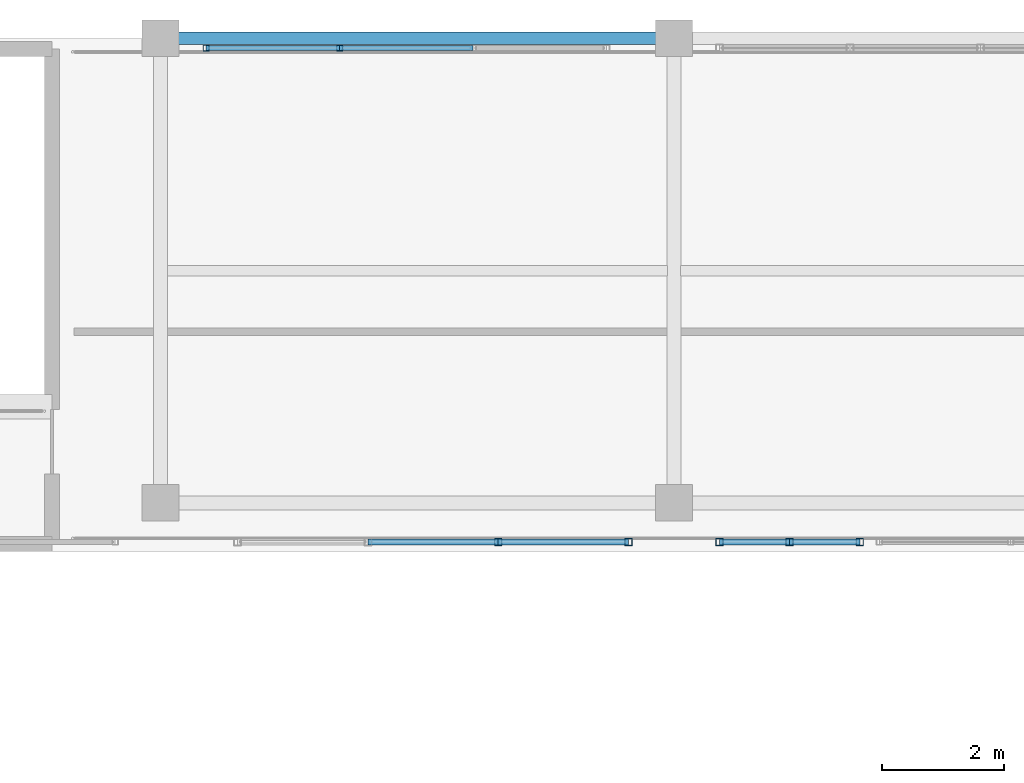
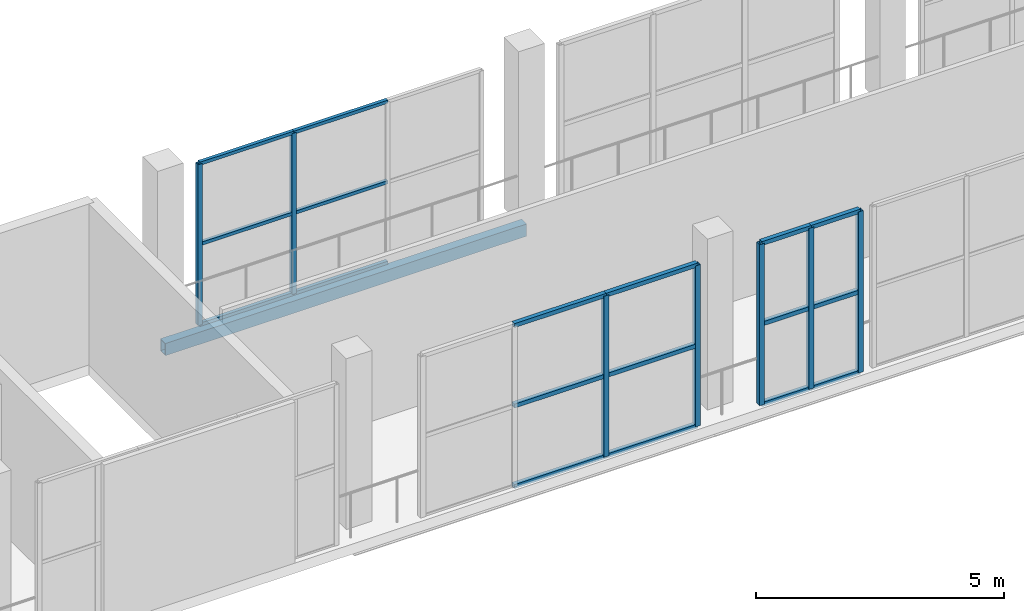
# One storey, part 75 of 151: 25 members, 1 beam, 3 elements without a shape of their own.
"""IFC4 building model written with IfcOpenShell, lengths in metres."""

from ifc_helpers import new_model, si_unit, direction, frame, origin, origin_2d, place, context, subcontext, project, spatial, hollow_rectangle, extrude, material, material_profile, profile_set, type_object, element, aggregate, save


model = new_model("IFC4")

# Units and contexts
model_context = context("Model", 3, precision=1e-05, world=origin(), true_north=direction((0.0, 1.0)))
body_context = subcontext(model_context, "Body", "Model", "MODEL_VIEW")
ifc_project = project(units=[si_unit("LENGTHUNIT", "METRE"), si_unit("AREAUNIT", "SQUARE_METRE"), si_unit("VOLUMEUNIT", "CUBIC_METRE"), si_unit("PLANEANGLEUNIT", "RADIAN"), si_unit("MASSUNIT", "GRAM", prefix="KILO")], contexts=[model_context])

# Site, building, storey
site_placement = place(None, origin())
site = spatial("IfcSite", under=ifc_project, at=site_placement, CompositionType="ELEMENT")
building_placement = place(site_placement, origin())
building = spatial("IfcBuilding", under=site, at=building_placement, Name="Zuvorla Pavilion Media Centre", CompositionType="ELEMENT")
storey_placement = place(building_placement, frame((0.0, 0.0, 13.800048828125)))
storey = spatial("IfcBuildingStorey", under=building, at=storey_placement, Name="L03", CompositionType="ELEMENT", Elevation=13.800048828125)

# Beam
ifc_material_1 = material(Name="Steel S355", Category="steel")
ifc_material_profile_1 = material_profile(ifc_material_1, hollow_rectangle(XDim=0.199951171875, YDim=0.300048828125, WallThickness=0.012451171875, at=origin_2d()), Name="RHS 300x200x12.5")
ifc_profile_set_1 = profile_set([ifc_material_profile_1], Name="Steel S355")
beam_type = type_object("IfcBeamType", Name="BM-SP-RHS300", PredefinedType="SPANDREL", material=ifc_profile_set_1)
beam_placement = place(storey_placement, frame((100.39990234375, 89.60009765625, -0.407958984375), z_axis=(1.0, 0.0, 0.0), x_axis=(0.0, 1.0, 0.0)))
element("IfcBeam", 1, at=beam_placement, inside=storey, type_object=beam_type, Name="L03 spandrel SP01 1140", PredefinedType="SPANDREL", context=body_context, shape_type="SweptSolid", body=[
    extrude(hollow_rectangle(XDim=0.199951171875, YDim=0.300048828125, WallThickness=0.012451171875, at=origin_2d()), origin(), (0.0, 0.0, 1.0), 8.400146484375),
])

# Curtain wall, members
ifc_material_2 = material(Name="Unitised anodised aluminium and solar glass curtain wall", Category="aluminium")
curtain_wall_type_1 = type_object("IfcCurtainWallType", Name="CW-SYS-63", PredefinedType="USERDEFINED", material=ifc_material_2)
curtain_wall_1_placement = place(storey_placement, origin())
curtain_wall_1 = element("IfcCurtainWall", 2, at=curtain_wall_1_placement, inside=storey, type_object=curtain_wall_type_1, Name="L03 curtain wall CW63 112", ObjectType="CURTAIN WALL", PredefinedType="USERDEFINED")
ifc_material_3 = material(Name="Anodised aluminium 6063-T6", Category="aluminium")
ifc_material_profile_2 = material_profile(ifc_material_3, hollow_rectangle(XDim=0.10009765625, YDim=0.10009765625, WallThickness=0.00439453125, at=origin_2d()), Name="ALU MULL 100x100")
ifc_profile_set_2 = profile_set([ifc_material_profile_2], Name="Anodised aluminium 6063-T6")
member_type_1 = type_object("IfcMemberType", Name="CW-MULL-100", PredefinedType="MULLION", material=ifc_profile_set_2)
member_1_placement = place(storey_placement, frame((103.32861328125, 89.43994140625, 0.0), z_axis=(0.0, 0.0, 1.0), x_axis=(1.0, 0.0, 0.0)))
member_1 = element("IfcMember", 3, at=member_1_placement, type_object=member_type_1, Name="CW63 mullion 3", PredefinedType="MULLION", context=body_context, shape_type="SweptSolid", body=[
    extrude(hollow_rectangle(XDim=0.10009765625, YDim=0.10009765625, WallThickness=0.00439453125, at=origin_2d()), origin(), (0.0, 0.0, 1.0), 3.9599609375),
])
member_2_placement = place(storey_placement, frame((101.144287109375, 89.43994140625, 0.0), z_axis=(0.0, 0.0, 1.0), x_axis=(1.0, 0.0, 0.0)))
member_2 = element("IfcMember", 4, at=member_2_placement, type_object=member_type_1, Name="CW63 mullion 4", PredefinedType="MULLION", context=body_context, shape_type="SweptSolid", body=[
    extrude(hollow_rectangle(XDim=0.10009765625, YDim=0.10009765625, WallThickness=0.00439453125, at=origin_2d()), origin(), (0.0, 0.0, 1.0), 3.9599609375),
])

curtain_wall_type_2 = type_object("IfcCurtainWallType", Name="CW-SYS-82", PredefinedType="USERDEFINED", material=ifc_material_2)
curtain_wall_2_placement = place(storey_placement, origin())
curtain_wall_2 = element("IfcCurtainWall", 5, at=curtain_wall_2_placement, inside=storey, type_object=curtain_wall_type_2, Name="L03 curtain wall CW82 172", ObjectType="CURTAIN WALL", PredefinedType="USERDEFINED")
ifc_material_profile_3 = material_profile(ifc_material_3, hollow_rectangle(XDim=0.1201171875, YDim=0.1201171875, WallThickness=0.0048828125, at=origin_2d()), Name="ALU MULL 120x120")
ifc_profile_set_3 = profile_set([ifc_material_profile_3], Name="Anodised aluminium 6063-T6")
member_type_2 = type_object("IfcMemberType", Name="CW-MULL-120", PredefinedType="MULLION", material=ifc_profile_set_3)
member_3_placement = place(storey_placement, frame((111.840087890625, 81.360107421875, 0.0), z_axis=(0.0, 0.0, 1.0), x_axis=(1.0, 0.0, 0.0)))
member_3 = element("IfcMember", 6, at=member_3_placement, type_object=member_type_2, Name="CW82 mullion 1", PredefinedType="MULLION", context=body_context, shape_type="SweptSolid", body=[
    extrude(hollow_rectangle(XDim=0.1201171875, YDim=0.1201171875, WallThickness=0.0048828125, at=origin_2d()), origin(), (0.0, 0.0, 1.0), 3.9599609375),
])
member_4_placement = place(storey_placement, frame((110.692138671875, 81.360107421875, 0.0), z_axis=(0.0, 0.0, 1.0), x_axis=(1.0, 0.0, 0.0)))
member_4 = element("IfcMember", 7, at=member_4_placement, type_object=member_type_2, Name="CW82 mullion 2", PredefinedType="MULLION", context=body_context, shape_type="SweptSolid", body=[
    extrude(hollow_rectangle(XDim=0.1201171875, YDim=0.1201171875, WallThickness=0.0048828125, at=origin_2d()), origin(), (0.0, 0.0, 1.0), 3.9599609375),
])
member_5_placement = place(storey_placement, frame((109.544189453125, 81.360107421875, 0.0), z_axis=(0.0, 0.0, 1.0), x_axis=(1.0, 0.0, 0.0)))
member_5 = element("IfcMember", 8, at=member_5_placement, type_object=member_type_2, Name="CW82 mullion 3", PredefinedType="MULLION", context=body_context, shape_type="SweptSolid", body=[
    extrude(hollow_rectangle(XDim=0.1201171875, YDim=0.1201171875, WallThickness=0.0048828125, at=origin_2d()), origin(), (0.0, 0.0, 1.0), 3.9599609375),
])

curtain_wall_type_3 = type_object("IfcCurtainWallType", Name="CW-SYS-45", PredefinedType="USERDEFINED", material=ifc_material_2)
curtain_wall_3_placement = place(storey_placement, origin())
curtain_wall_3 = element("IfcCurtainWall", 9, at=curtain_wall_3_placement, inside=storey, type_object=curtain_wall_type_3, Name="L03 curtain wall CW45 173", ObjectType="CURTAIN WALL", PredefinedType="USERDEFINED")
member_6_placement = place(storey_placement, frame((108.0556640625, 81.360107421875, 0.0), z_axis=(0.0, 0.0, 1.0), x_axis=(1.0, 0.0, 0.0)))
member_6 = element("IfcMember", 10, at=member_6_placement, type_object=member_type_2, Name="CW45 mullion 1", PredefinedType="MULLION", context=body_context, shape_type="SweptSolid", body=[
    extrude(hollow_rectangle(XDim=0.1201171875, YDim=0.1201171875, WallThickness=0.0048828125, at=origin_2d()), origin(), (0.0, 0.0, 1.0), 3.9599609375),
])
member_7_placement = place(storey_placement, frame((105.923828125, 81.360107421875, 0.0), z_axis=(0.0, 0.0, 1.0), x_axis=(1.0, 0.0, 0.0)))
member_7 = element("IfcMember", 11, at=member_7_placement, type_object=member_type_2, Name="CW45 mullion 2", PredefinedType="MULLION", context=body_context, shape_type="SweptSolid", body=[
    extrude(hollow_rectangle(XDim=0.1201171875, YDim=0.1201171875, WallThickness=0.0048828125, at=origin_2d()), origin(), (0.0, 0.0, 1.0), 3.9599609375),
])

# Member
ifc_material_profile_4 = material_profile(ifc_material_3, hollow_rectangle(XDim=0.10009765625, YDim=0.10009765625, WallThickness=0.00439453125, at=origin_2d()), Name="ALU TRAN 100x100")
ifc_profile_set_4 = profile_set([ifc_material_profile_4], Name="Anodised aluminium 6063-T6")
member_type_3 = type_object("IfcMemberType", Name="CW-TRAN-100", PredefinedType="USERDEFINED", material=ifc_profile_set_4)
member_8_placement = place(storey_placement, frame((111.840087890625, 81.360107421875, 0.0), z_axis=(-1.0, 0.0, 0.0), x_axis=(0.0, -1.0, 0.0)))
member_8 = element("IfcMember", 12, at=member_8_placement, type_object=member_type_3, Name="CW82 transom 1.1", ObjectType="TRANSOM", PredefinedType="USERDEFINED", context=body_context, shape_type="SweptSolid", body=[
    extrude(hollow_rectangle(XDim=0.10009765625, YDim=0.10009765625, WallThickness=0.00439453125, at=origin_2d()), origin(), (0.0, 0.0, 1.0), 1.14794921875),
])

member_9_placement = place(storey_placement, frame((111.840087890625, 81.360107421875, 1.97998046875), z_axis=(-1.0, 0.0, 0.0), x_axis=(0.0, -1.0, 0.0)))
member_9 = element("IfcMember", 13, at=member_9_placement, type_object=member_type_3, Name="CW82 transom 1.2", ObjectType="TRANSOM", PredefinedType="USERDEFINED", context=body_context, shape_type="SweptSolid", body=[
    extrude(hollow_rectangle(XDim=0.10009765625, YDim=0.10009765625, WallThickness=0.00439453125, at=origin_2d()), origin(), (0.0, 0.0, 1.0), 1.14794921875),
])

member_10_placement = place(storey_placement, frame((111.840087890625, 81.360107421875, 3.9599609375), z_axis=(-1.0, 0.0, 0.0), x_axis=(0.0, -1.0, 0.0)))
member_10 = element("IfcMember", 14, at=member_10_placement, type_object=member_type_3, Name="CW82 transom 1.3", ObjectType="TRANSOM", PredefinedType="USERDEFINED", context=body_context, shape_type="SweptSolid", body=[
    extrude(hollow_rectangle(XDim=0.10009765625, YDim=0.10009765625, WallThickness=0.00439453125, at=origin_2d()), origin(), (0.0, 0.0, 1.0), 1.14794921875),
])

member_11_placement = place(storey_placement, frame((110.692138671875, 81.360107421875, 0.0), z_axis=(-1.0, 0.0, 0.0), x_axis=(0.0, -1.0, 0.0)))
member_11 = element("IfcMember", 15, at=member_11_placement, type_object=member_type_3, Name="CW82 transom 2.1", ObjectType="TRANSOM", PredefinedType="USERDEFINED", context=body_context, shape_type="SweptSolid", body=[
    extrude(hollow_rectangle(XDim=0.10009765625, YDim=0.10009765625, WallThickness=0.00439453125, at=origin_2d()), origin(), (0.0, 0.0, 1.0), 1.14794921875),
])

member_12_placement = place(storey_placement, frame((110.692138671875, 81.360107421875, 1.97998046875), z_axis=(-1.0, 0.0, 0.0), x_axis=(0.0, -1.0, 0.0)))
member_12 = element("IfcMember", 16, at=member_12_placement, type_object=member_type_3, Name="CW82 transom 2.2", ObjectType="TRANSOM", PredefinedType="USERDEFINED", context=body_context, shape_type="SweptSolid", body=[
    extrude(hollow_rectangle(XDim=0.10009765625, YDim=0.10009765625, WallThickness=0.00439453125, at=origin_2d()), origin(), (0.0, 0.0, 1.0), 1.14794921875),
])

member_13_placement = place(storey_placement, frame((110.692138671875, 81.360107421875, 3.9599609375), z_axis=(-1.0, 0.0, 0.0), x_axis=(0.0, -1.0, 0.0)))
member_13 = element("IfcMember", 17, at=member_13_placement, type_object=member_type_3, Name="CW82 transom 2.3", ObjectType="TRANSOM", PredefinedType="USERDEFINED", context=body_context, shape_type="SweptSolid", body=[
    extrude(hollow_rectangle(XDim=0.10009765625, YDim=0.10009765625, WallThickness=0.00439453125, at=origin_2d()), origin(), (0.0, 0.0, 1.0), 1.14794921875),
])

aggregate(curtain_wall_2, [member_3, member_4, member_5, member_8, member_9, member_10, member_11, member_12, member_13])

member_14_placement = place(storey_placement, frame((108.0556640625, 81.360107421875, 0.0), z_axis=(-1.0, 0.0, 0.0), x_axis=(0.0, -1.0, 0.0)))
member_14 = element("IfcMember", 18, at=member_14_placement, type_object=member_type_3, Name="CW45 transom 1.1", ObjectType="TRANSOM", PredefinedType="USERDEFINED", context=body_context, shape_type="SweptSolid", body=[
    extrude(hollow_rectangle(XDim=0.10009765625, YDim=0.10009765625, WallThickness=0.00439453125, at=origin_2d()), origin(), (0.0, 0.0, 1.0), 2.1318359375),
])

member_15_placement = place(storey_placement, frame((108.0556640625, 81.360107421875, 1.97998046875), z_axis=(-1.0, 0.0, 0.0), x_axis=(0.0, -1.0, 0.0)))
member_15 = element("IfcMember", 19, at=member_15_placement, type_object=member_type_3, Name="CW45 transom 1.2", ObjectType="TRANSOM", PredefinedType="USERDEFINED", context=body_context, shape_type="SweptSolid", body=[
    extrude(hollow_rectangle(XDim=0.10009765625, YDim=0.10009765625, WallThickness=0.00439453125, at=origin_2d()), origin(), (0.0, 0.0, 1.0), 2.1318359375),
])

member_16_placement = place(storey_placement, frame((108.0556640625, 81.360107421875, 3.9599609375), z_axis=(-1.0, 0.0, 0.0), x_axis=(0.0, -1.0, 0.0)))
member_16 = element("IfcMember", 20, at=member_16_placement, type_object=member_type_3, Name="CW45 transom 1.3", ObjectType="TRANSOM", PredefinedType="USERDEFINED", context=body_context, shape_type="SweptSolid", body=[
    extrude(hollow_rectangle(XDim=0.10009765625, YDim=0.10009765625, WallThickness=0.00439453125, at=origin_2d()), origin(), (0.0, 0.0, 1.0), 2.1318359375),
])

member_17_placement = place(storey_placement, frame((105.923828125, 81.360107421875, 0.0), z_axis=(-1.0, 0.0, 0.0), x_axis=(0.0, -1.0, 0.0)))
member_17 = element("IfcMember", 21, at=member_17_placement, type_object=member_type_3, Name="CW45 transom 2.1", ObjectType="TRANSOM", PredefinedType="USERDEFINED", context=body_context, shape_type="SweptSolid", body=[
    extrude(hollow_rectangle(XDim=0.10009765625, YDim=0.10009765625, WallThickness=0.00439453125, at=origin_2d()), origin(), (0.0, 0.0, 1.0), 2.1318359375),
])

member_18_placement = place(storey_placement, frame((105.923828125, 81.360107421875, 1.97998046875), z_axis=(-1.0, 0.0, 0.0), x_axis=(0.0, -1.0, 0.0)))
member_18 = element("IfcMember", 22, at=member_18_placement, type_object=member_type_3, Name="CW45 transom 2.2", ObjectType="TRANSOM", PredefinedType="USERDEFINED", context=body_context, shape_type="SweptSolid", body=[
    extrude(hollow_rectangle(XDim=0.10009765625, YDim=0.10009765625, WallThickness=0.00439453125, at=origin_2d()), origin(), (0.0, 0.0, 1.0), 2.1318359375),
])

member_19_placement = place(storey_placement, frame((105.923828125, 81.360107421875, 3.9599609375), z_axis=(-1.0, 0.0, 0.0), x_axis=(0.0, -1.0, 0.0)))
member_19 = element("IfcMember", 23, at=member_19_placement, type_object=member_type_3, Name="CW45 transom 2.3", ObjectType="TRANSOM", PredefinedType="USERDEFINED", context=body_context, shape_type="SweptSolid", body=[
    extrude(hollow_rectangle(XDim=0.10009765625, YDim=0.10009765625, WallThickness=0.00439453125, at=origin_2d()), origin(), (0.0, 0.0, 1.0), 2.1318359375),
])

aggregate(curtain_wall_3, [member_6, member_7, member_14, member_15, member_16, member_17, member_18, member_19])

ifc_material_profile_5 = material_profile(ifc_material_3, hollow_rectangle(XDim=0.080078125, YDim=0.080078125, WallThickness=0.00390625, at=origin_2d()), Name="ALU TRAN 80x80")
ifc_profile_set_5 = profile_set([ifc_material_profile_5], Name="Anodised aluminium 6063-T6")
member_type_4 = type_object("IfcMemberType", Name="CW-TRAN-80", PredefinedType="USERDEFINED", material=ifc_profile_set_5)
member_20_placement = place(storey_placement, frame((105.512939453125, 89.43994140625, 0.0), z_axis=(-1.0, 0.0, 0.0), x_axis=(0.0, -1.0, 0.0)))
member_20 = element("IfcMember", 24, at=member_20_placement, type_object=member_type_4, Name="CW63 transom 2.1", ObjectType="TRANSOM", PredefinedType="USERDEFINED", context=body_context, shape_type="SweptSolid", body=[
    extrude(hollow_rectangle(XDim=0.080078125, YDim=0.080078125, WallThickness=0.00390625, at=origin_2d()), origin(), (0.0, 0.0, 1.0), 2.184326171875),
])

member_21_placement = place(storey_placement, frame((105.512939453125, 89.43994140625, 1.97998046875), z_axis=(-1.0, 0.0, 0.0), x_axis=(0.0, -1.0, 0.0)))
member_21 = element("IfcMember", 25, at=member_21_placement, type_object=member_type_4, Name="CW63 transom 2.2", ObjectType="TRANSOM", PredefinedType="USERDEFINED", context=body_context, shape_type="SweptSolid", body=[
    extrude(hollow_rectangle(XDim=0.080078125, YDim=0.080078125, WallThickness=0.00390625, at=origin_2d()), origin(), (0.0, 0.0, 1.0), 2.184326171875),
])

member_22_placement = place(storey_placement, frame((105.512939453125, 89.43994140625, 3.9599609375), z_axis=(-1.0, 0.0, 0.0), x_axis=(0.0, -1.0, 0.0)))
member_22 = element("IfcMember", 26, at=member_22_placement, type_object=member_type_4, Name="CW63 transom 2.3", ObjectType="TRANSOM", PredefinedType="USERDEFINED", context=body_context, shape_type="SweptSolid", body=[
    extrude(hollow_rectangle(XDim=0.080078125, YDim=0.080078125, WallThickness=0.00390625, at=origin_2d()), origin(), (0.0, 0.0, 1.0), 2.184326171875),
])

member_23_placement = place(storey_placement, frame((103.32861328125, 89.43994140625, 0.0), z_axis=(-1.0, 0.0, 0.0), x_axis=(0.0, -1.0, 0.0)))
member_23 = element("IfcMember", 27, at=member_23_placement, type_object=member_type_4, Name="CW63 transom 3.1", ObjectType="TRANSOM", PredefinedType="USERDEFINED", context=body_context, shape_type="SweptSolid", body=[
    extrude(hollow_rectangle(XDim=0.080078125, YDim=0.080078125, WallThickness=0.00390625, at=origin_2d()), origin(), (0.0, 0.0, 1.0), 2.184326171875),
])

member_24_placement = place(storey_placement, frame((103.32861328125, 89.43994140625, 1.97998046875), z_axis=(-1.0, 0.0, 0.0), x_axis=(0.0, -1.0, 0.0)))
member_24 = element("IfcMember", 28, at=member_24_placement, type_object=member_type_4, Name="CW63 transom 3.2", ObjectType="TRANSOM", PredefinedType="USERDEFINED", context=body_context, shape_type="SweptSolid", body=[
    extrude(hollow_rectangle(XDim=0.080078125, YDim=0.080078125, WallThickness=0.00390625, at=origin_2d()), origin(), (0.0, 0.0, 1.0), 2.184326171875),
])

member_25_placement = place(storey_placement, frame((103.32861328125, 89.43994140625, 3.9599609375), z_axis=(-1.0, 0.0, 0.0), x_axis=(0.0, -1.0, 0.0)))
member_25 = element("IfcMember", 29, at=member_25_placement, type_object=member_type_4, Name="CW63 transom 3.3", ObjectType="TRANSOM", PredefinedType="USERDEFINED", context=body_context, shape_type="SweptSolid", body=[
    extrude(hollow_rectangle(XDim=0.080078125, YDim=0.080078125, WallThickness=0.00390625, at=origin_2d()), origin(), (0.0, 0.0, 1.0), 2.184326171875),
])

aggregate(curtain_wall_1, [member_1, member_2, member_20, member_21, member_22, member_23, member_24, member_25])

save(model, "model.ifc")
